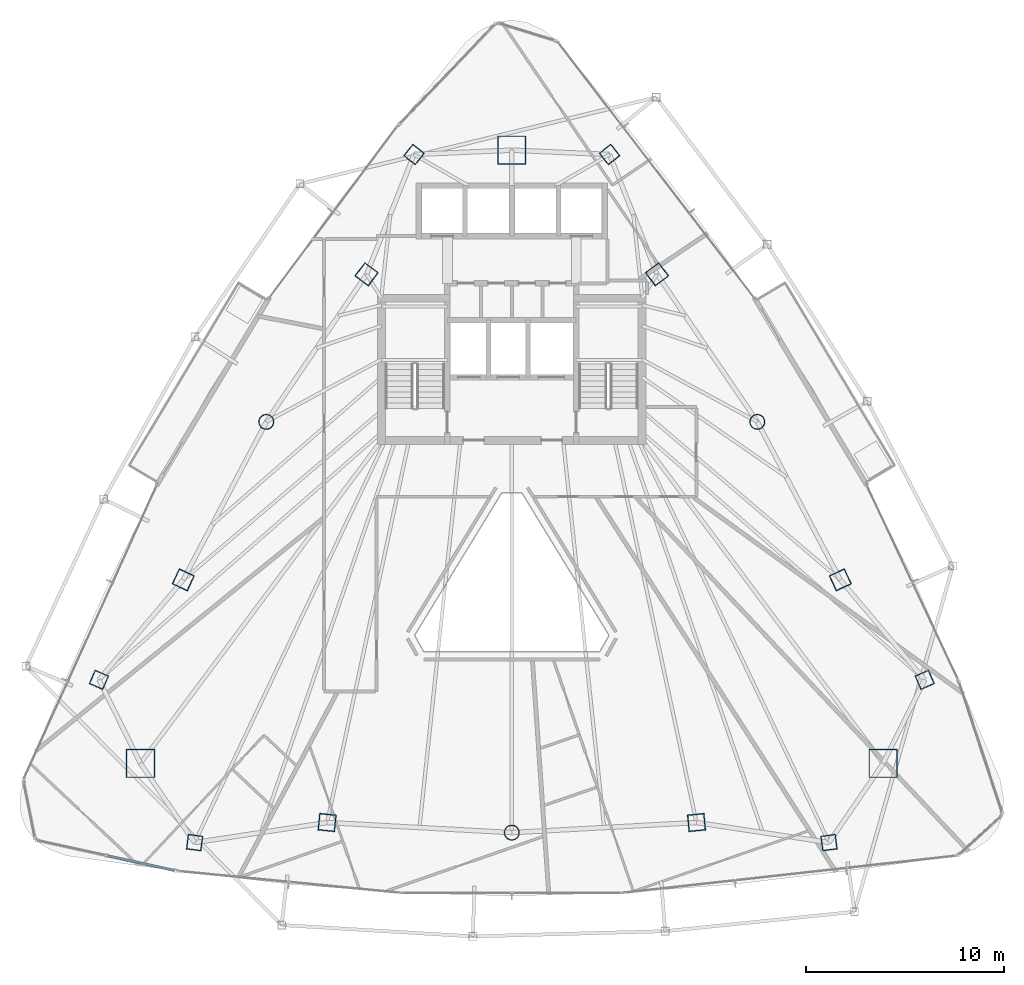
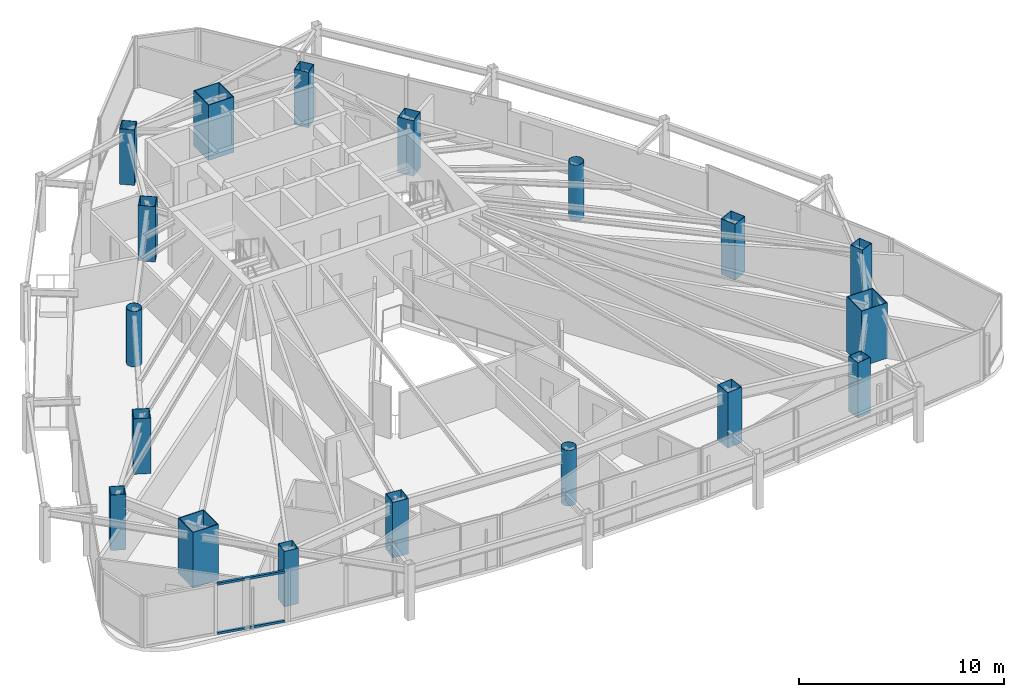
# One storey, part 1 of 29: 18 columns, 2 members, 1 element without a shape of its own.
"""IFC4 building model written with IfcOpenShell, lengths in metres."""

from ifc_helpers import new_model, si_unit, direction, frame, origin, origin_2d, place, context, subcontext, project, spatial, hollow_rectangle, hollow_circle, extrude, material, layer, layer_set, material_profile, profile_set, type_object, element, aggregate, save


model = new_model("IFC4")

# Units and contexts
model_context = context("Model", 3, precision=1e-05, world=origin(), true_north=direction((0.0, 1.0)))
body_context = subcontext(model_context, "Body", "Model", "MODEL_VIEW")
ifc_project = project(units=[si_unit("LENGTHUNIT", "METRE"), si_unit("AREAUNIT", "SQUARE_METRE"), si_unit("VOLUMEUNIT", "CUBIC_METRE"), si_unit("PLANEANGLEUNIT", "RADIAN"), si_unit("MASSUNIT", "GRAM", prefix="KILO")], contexts=[model_context])

# Site, building, storey
site_placement = place(None, origin())
site = spatial("IfcSite", under=ifc_project, at=site_placement, CompositionType="ELEMENT")
building_placement = place(site_placement, origin())
building = spatial("IfcBuilding", under=site, at=building_placement, Name="Orvanel Arch Residences", CompositionType="ELEMENT")
storey_placement = place(building_placement, frame((0.0, 0.0, 160.550048828125)))
storey = spatial("IfcBuildingStorey", under=building, at=storey_placement, Name="L45", CompositionType="ELEMENT", Elevation=160.550048828125)

# Columns
ifc_material_1 = material(Name="Structural steel AS/NZS 1163 C450L0 (Grade 450)", Category="steel")
ifc_material_profile_1 = material_profile(ifc_material_1, hollow_circle(Radius=0.381103515625, WallThickness=0.02197265625, at=origin_2d()), Name="CHS762x22")
ifc_profile_set_1 = profile_set([ifc_material_profile_1], Name="Structural steel AS/NZS 1163 C450L0 (Grade 450)")
column_type_1 = type_object("IfcColumnType", Name="CC-762", PredefinedType="COLUMN", material=ifc_profile_set_1)
for number, where, z_axis, x_axis, name in (
    (1, (20.569091796875, 27.64111328125, 0.0), (0.0, 0.0, 1.0), (1.0, 0.0, 0.0), "L45 High-Rise Tube Column 02"),
    (2, (33.0, 6.843994140625, 0.0), (0.0, 0.0, 1.0), (1.0, 0.0, 0.0), "L45 High-Rise Tube Column 05"),
    (3, (45.430908203125, 27.64111328125, 0.0), (0.0, 0.0, 1.0), (1.0, 0.0, 0.0), "L45 High-Rise Tube Column 08"),
):
    element("IfcColumn", number, at=place(storey_placement, frame(where, z_axis=z_axis, x_axis=x_axis)), inside=storey, type_object=column_type_1, Name=name, PredefinedType="COLUMN", context=body_context, shape_type="SweptSolid", body=[
        extrude(hollow_circle(Radius=0.381103515625, WallThickness=0.02197265625, at=origin_2d()), origin(), (0.0, 0.0, 1.0), 3.300048828125),
    ])
ifc_material_2 = material(Name="Structural steel AS/NZS 3678 Grade 450", Category="steel")
ifc_material_profile_2 = material_profile(ifc_material_2, hollow_rectangle(XDim=1.449951171875, YDim=1.449951171875, WallThickness=0.044921875, at=origin_2d()), Name="BOX1450x1450x45")
ifc_profile_set_2 = profile_set([ifc_material_profile_2], Name="Structural steel AS/NZS 3678 Grade 450")
column_type_2 = type_object("IfcColumnType", Name="MC-1450", PredefinedType="COLUMN", material=ifc_profile_set_2)
for number, where, z_axis, x_axis, name in (
    (4, (33.0, 41.39794921875, 0.0), (0.0, 0.0, 1.0), (1.0, 0.0, 0.0), "L45 Corner Mega-Column 1"),
    (5, (14.198974609375, 10.35107421875, 0.0), (0.0, 0.0, 1.0), (1.0, 0.0, 0.0), "L45 Corner Mega-Column 2"),
    (6, (51.801025390625, 10.35107421875, 0.0), (0.0, 0.0, 1.0), (1.0, 0.0, 0.0), "L45 Corner Mega-Column 3"),
):
    element("IfcColumn", number, at=place(storey_placement, frame(where, z_axis=z_axis, x_axis=x_axis)), inside=storey, type_object=column_type_2, Name=name, PredefinedType="COLUMN", context=body_context, shape_type="SweptSolid", body=[
        extrude(hollow_rectangle(XDim=1.449951171875, YDim=1.449951171875, WallThickness=0.044921875, at=origin_2d()), origin(), (0.0, 0.0, 1.0), 3.300048828125),
    ])
ifc_material_3 = material(Name="Structural steel AS/NZS 3678 Grade 350", Category="steel")
ifc_material_profile_3 = material_profile(ifc_material_3, hollow_rectangle(XDim=0.75, YDim=0.75, WallThickness=0.02490234375, at=origin_2d()), Name="BOX750x750x25")
ifc_profile_set_3 = profile_set([ifc_material_profile_3], Name="Structural steel AS/NZS 3678 Grade 350")
column_type_3 = type_object("IfcColumnType", Name="TC-750", PredefinedType="COLUMN", material=ifc_profile_set_3)
for number, where, z_axis, x_axis, name in (
    (7, (28.050048828125, 41.177978515625, 0.0), (0.0, 0.0, 1.0), (0.623879596709, 0.781520472419, 0.0), "L45 Mid-Rise Buttress Tube Column 01"),
    (8, (12.094970703125, 14.580078125, 0.0), (0.0, 0.0, 1.0), (0.397147890635, 0.917754625684, 0.0), "L45 Mid-Rise Buttress Tube Column 02"),
    (9, (16.94091796875, 6.339111328125, 0.0), (0.0, 0.0, 1.0), (-0.99189444259, 0.127064608601, 0.0), "L45 Mid-Rise Buttress Tube Column 03"),
    (10, (49.05908203125, 6.339111328125, 0.0), (0.0, 0.0, 1.0), (0.99189444259, 0.127064608601, 0.0), "L45 Mid-Rise Buttress Tube Column 04"),
    (11, (53.905029296875, 14.580078125, 0.0), (0.0, 0.0, 1.0), (-0.397147890635, 0.917754625684, 0.0), "L45 Mid-Rise Buttress Tube Column 05"),
    (12, (37.949951171875, 41.177978515625, 0.0), (0.0, 0.0, 1.0), (-0.623879596709, 0.781520472419, 0.0), "L45 Mid-Rise Buttress Tube Column 06"),
):
    element("IfcColumn", number, at=place(storey_placement, frame(where, z_axis=z_axis, x_axis=x_axis)), inside=storey, type_object=column_type_3, Name=name, PredefinedType="COLUMN", context=body_context, shape_type="SweptSolid", body=[
        extrude(hollow_rectangle(XDim=0.75, YDim=0.75, WallThickness=0.02490234375, at=origin_2d()), origin(), (0.0, 0.0, 1.0), 3.300048828125),
    ])
ifc_material_profile_4 = material_profile(ifc_material_3, hollow_rectangle(XDim=0.85009765625, YDim=0.85009765625, WallThickness=0.028076171875, at=origin_2d()), Name="BOX850x850x28")
ifc_profile_set_4 = profile_set([ifc_material_profile_4], Name="Structural steel AS/NZS 3678 Grade 350")
column_type_4 = type_object("IfcColumnType", Name="TC-850", PredefinedType="COLUMN", material=ifc_profile_set_4)
for number, where, z_axis, x_axis, name in (
    (13, (25.64794921875, 35.113037109375, 0.0), (0.0, 0.0, 1.0), (0.600420225326, 0.799684658487, 0.0), "L45 High-Rise Tube Column 01"),
    (14, (16.366943359375, 19.64208984375, 0.0), (0.0, 0.0, 1.0), (0.422618261741, 0.906307787037, 0.0), "L45 High-Rise Tube Column 03"),
    (15, (23.64892578125, 7.35498046875, 0.0), (0.0, 0.0, 1.0), (-0.994880708829, 0.101056297183, 0.0), "L45 High-Rise Tube Column 04"),
    (16, (42.35107421875, 7.35498046875, 0.0), (0.0, 0.0, 1.0), (0.994880708829, 0.101056297183, 0.0), "L45 High-Rise Tube Column 06"),
    (17, (49.633056640625, 19.64208984375, 0.0), (0.0, 0.0, 1.0), (-0.422618261741, 0.906307787037, 0.0), "L45 High-Rise Tube Column 07"),
    (18, (40.35205078125, 35.113037109375, 0.0), (0.0, 0.0, 1.0), (-0.600420225326, 0.799684658487, 0.0), "L45 High-Rise Tube Column 09"),
):
    element("IfcColumn", number, at=place(storey_placement, frame(where, z_axis=z_axis, x_axis=x_axis)), inside=storey, type_object=column_type_4, Name=name, PredefinedType="COLUMN", context=body_context, shape_type="SweptSolid", body=[
        extrude(hollow_rectangle(XDim=0.85009765625, YDim=0.85009765625, WallThickness=0.028076171875, at=origin_2d()), origin(), (0.0, 0.0, 1.0), 3.300048828125),
    ])

# Curtain wall, members
ifc_material_4 = material(Name="Bronze-anodised aluminium AA6063-T6", Category="aluminium")
ifc_layer = layer(ifc_material_4, 0.18994140625)
ifc_layer_set = layer_set([ifc_layer], Name="Bronze-anodised aluminium AA6063-T6")
curtain_wall_type = type_object("IfcCurtainWallType", Name="CW5-CRN-SYS", PredefinedType="NOTDEFINED", material=ifc_layer_set)
curtain_wall_placement = place(storey_placement, origin())
curtain_wall = element("IfcCurtainWall", 19, at=curtain_wall_placement, inside=storey, type_object=curtain_wall_type, Name="L45 CW5-CRN-SYS Unitised Curtain Wall", PredefinedType="NOTDEFINED")
ifc_material_profile_5 = material_profile(ifc_material_4, hollow_rectangle(XDim=0.1298828125, YDim=0.1298828125, WallThickness=0.00439453125, at=origin_2d()), Name="ALU130x130x4.5")
ifc_profile_set_5 = profile_set([ifc_material_profile_5], Name="Bronze-anodised aluminium AA6063-T6")
member_type = type_object("IfcMemberType", Name="TRN-130x130", PredefinedType="USERDEFINED", material=ifc_profile_set_5)
member_1_placement = place(storey_placement, frame((12.545166015625, 5.67041015625, 0.06494140625), z_axis=(0.976757375333, -0.21434791749, 0.0), x_axis=(0.21434791749, 0.976757375333, 0.0)))
member_1 = element("IfcMember", 20, at=member_1_placement, type_object=member_type, Name="CW-S5 transom 2.1", ObjectType="TRANSOM", PredefinedType="USERDEFINED", context=body_context, shape_type="SweptSolid", body=[
    extrude(hollow_rectangle(XDim=0.1298828125, YDim=0.1298828125, WallThickness=0.00439453125, at=origin_2d()), origin(), (0.0, 0.0, 1.0), 3.4443359375),
])
member_2_placement = place(storey_placement, frame((12.545166015625, 5.67041015625, 2.994873046875), z_axis=(0.976757375333, -0.21434791749, 0.0), x_axis=(0.21434791749, 0.976757375333, 0.0)))
member_2 = element("IfcMember", 21, at=member_2_placement, type_object=member_type, Name="CW-S5 transom 2.2", ObjectType="TRANSOM", PredefinedType="USERDEFINED", context=body_context, shape_type="SweptSolid", body=[
    extrude(hollow_rectangle(XDim=0.1298828125, YDim=0.1298828125, WallThickness=0.00439453125, at=origin_2d()), origin(), (0.0, 0.0, 1.0), 3.4443359375),
])
aggregate(curtain_wall, [member_1, member_2])

save(model, "model.ifc")
